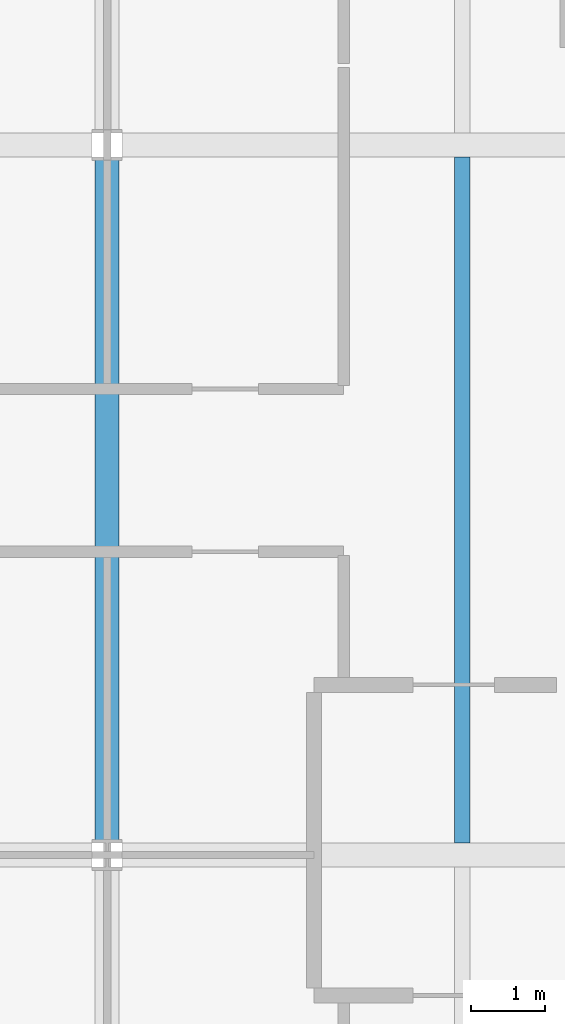
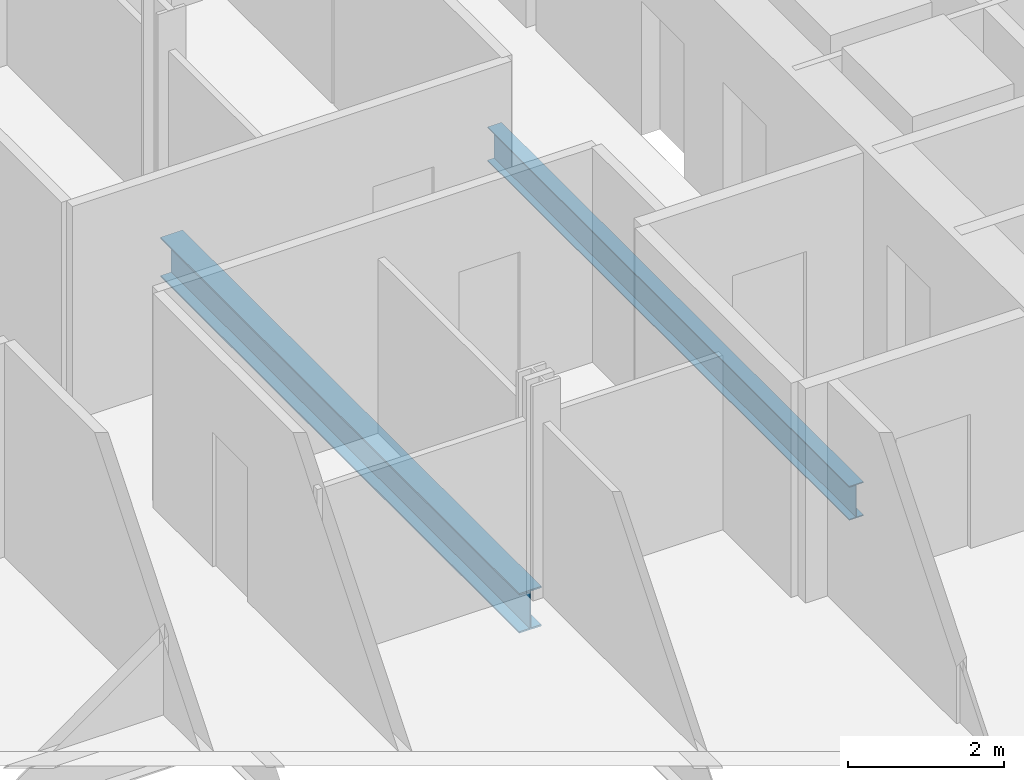
# One storey, part 6 of 23: 2 beams.
"""IFC4 building model written with IfcOpenShell, lengths in metres."""

from ifc_helpers import new_model, si_unit, direction, frame, origin, origin_2d, place, context, subcontext, project, spatial, i_section, extrude, material, material_profile, profile_set, type_object, element, save


model = new_model("IFC4")

# Units and contexts
model_context = context("Model", 3, precision=1e-05, world=origin(), true_north=direction((0.0, 1.0)))
body_context = subcontext(model_context, "Body", "Model", "MODEL_VIEW")
ifc_project = project(units=[si_unit("LENGTHUNIT", "METRE"), si_unit("AREAUNIT", "SQUARE_METRE"), si_unit("VOLUMEUNIT", "CUBIC_METRE"), si_unit("PLANEANGLEUNIT", "RADIAN"), si_unit("MASSUNIT", "GRAM", prefix="KILO")], contexts=[model_context])

# Site, building, storey
site_placement = place(None, origin())
site = spatial("IfcSite", under=ifc_project, at=site_placement, CompositionType="ELEMENT")
building_placement = place(site_placement, origin())
building = spatial("IfcBuilding", under=site, at=building_placement, Name="Cobrizo Arcos Hotel Tower", CompositionType="ELEMENT")
storey_placement = place(building_placement, frame((0.0, 0.0, 49.5)))
storey = spatial("IfcBuildingStorey", under=building, at=storey_placement, Name="L10", CompositionType="ELEMENT", Elevation=49.5)

# Beams
ifc_material = material(Name="Steel ASTM A992 Grade 50", Category="steel")
ifc_material_profile_1 = material_profile(ifc_material, i_section(OverallWidth=0.209228515625, OverallDepth=0.533447265625, WebThickness=0.01025390625, FlangeThickness=0.015625, at=origin_2d()), Name="W21X62")
ifc_profile_set_1 = profile_set([ifc_material_profile_1], Name="Steel ASTM A992 Grade 50")
beam_type_1 = type_object("IfcBeamType", Name="W21X62 joist", PredefinedType="JOIST", material=ifc_profile_set_1)
beam_1_placement = place(storey_placement, frame((14.39990234375, 0.163818359375, -0.416748046875), z_axis=(0.0, 1.0, 0.0), x_axis=(-1.0, 0.0, 0.0)))
element("IfcBeam", 1, at=beam_1_placement, inside=storey, type_object=beam_type_1, Name="Floor joist J1, L10, no. 017", PredefinedType="JOIST", context=body_context, shape_type="SweptSolid", body=[
    extrude(i_section(OverallWidth=0.209228515625, OverallDepth=0.533447265625, WebThickness=0.01025390625, FlangeThickness=0.015625, at=origin_2d()), origin(), (0.0, 0.0, 1.0), 9.272216796875),
])
ifc_material_profile_2 = material_profile(ifc_material, i_section(OverallWidth=0.32763671875, OverallDepth=0.622314453125, WebThickness=0.015380859375, FlangeThickness=0.0244140625, at=origin_2d()), Name="W24X131")
ifc_profile_set_2 = profile_set([ifc_material_profile_2], Name="Steel ASTM A992 Grade 50")
beam_type_2 = type_object("IfcBeamType", Name="W24X131 girder", PredefinedType="BEAM", material=ifc_profile_set_2)
beam_2_placement = place(storey_placement, frame((9.60009765625, 0.204345703125, -0.461181640625), z_axis=(0.0, 1.0, 0.0), x_axis=(-1.0, 0.0, 0.0)))
element("IfcBeam", 2, at=beam_2_placement, inside=storey, type_object=beam_type_2, Name="Floor girder G1, L10, no. 023", PredefinedType="BEAM", context=body_context, shape_type="SweptSolid", body=[
    extrude(i_section(OverallWidth=0.32763671875, OverallDepth=0.622314453125, WebThickness=0.015380859375, FlangeThickness=0.0244140625, at=origin_2d()), origin(), (0.0, 0.0, 1.0), 9.191162109375),
])

save(model, "model.ifc")
